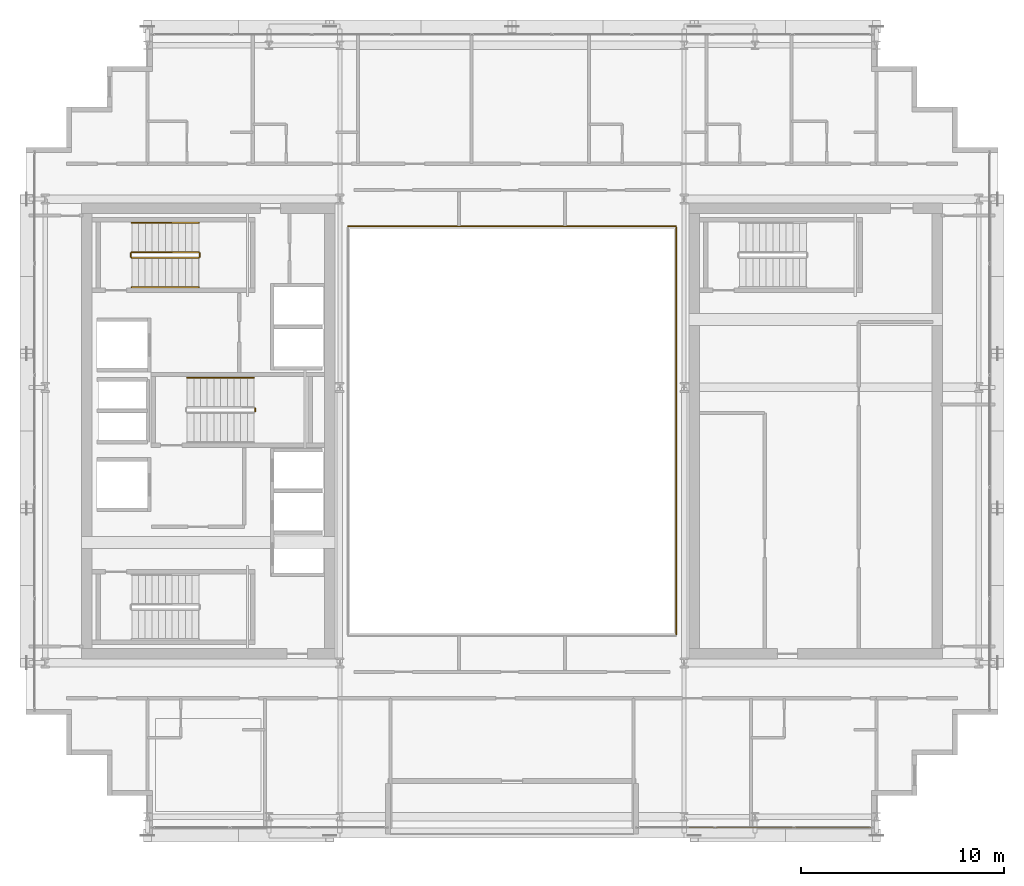
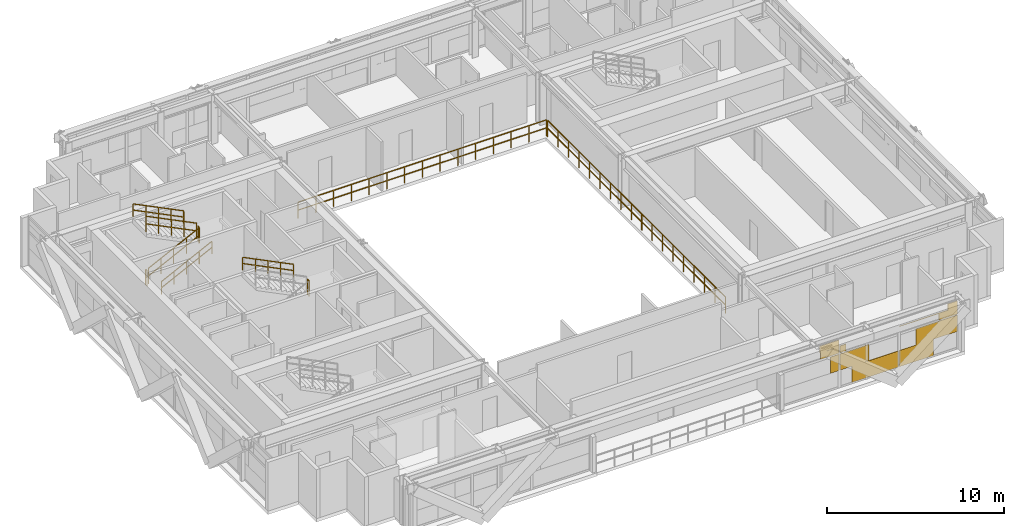
# One storey, part 30 of 32: 10 railings, 1 covering.
"""IFC4 building model written with IfcOpenShell, lengths in metres."""

from ifc_helpers import new_model, si_unit, direction, frame, origin, origin_2d, place, context, subcontext, project, spatial, rectangle, extrude, material, layer, layer_set, type_object, element, save


model = new_model("IFC4")

# Units and contexts
model_context = context("Model", 3, precision=1e-05, world=origin(), true_north=direction((0.0, 1.0)))
body_context = subcontext(model_context, "Body", "Model", "MODEL_VIEW")
ifc_project = project(units=[si_unit("LENGTHUNIT", "METRE"), si_unit("AREAUNIT", "SQUARE_METRE"), si_unit("VOLUMEUNIT", "CUBIC_METRE"), si_unit("PLANEANGLEUNIT", "RADIAN"), si_unit("MASSUNIT", "GRAM", prefix="KILO")], contexts=[model_context])

# Site, building, storey
site_placement = place(None, origin())
site = spatial("IfcSite", under=ifc_project, at=site_placement, CompositionType="ELEMENT")
building_placement = place(site_placement, origin())
building = spatial("IfcBuilding", under=site, at=building_placement, Name="Ocotamira Hotel", CompositionType="ELEMENT")
storey_placement = place(building_placement, frame((0.0, 0.0, 184.800048828125)))
storey = spatial("IfcBuildingStorey", under=building, at=storey_placement, Name="L46", CompositionType="ELEMENT", Elevation=184.800048828125)

# Covering
ifc_material_1 = material(Name="Insulated pale-metal aluminium spandrel panel", Category="aluminium")
ifc_layer = layer(ifc_material_1, 0.044921875)
ifc_layer_set = layer_set([ifc_layer], Name="Insulated pale-metal aluminium spandrel panel")
covering_type = type_object("IfcCoveringType", Name="COV-INFILL-45", PredefinedType="CLADDING", material=ifc_layer_set)
covering_placement = place(storey_placement, origin())
element("IfcCovering", 1, at=covering_placement, inside=storey, type_object=covering_type, Name="L46 Curtain Wall Infill CW-4 CW-L46-S2", PredefinedType="CLADDING", context=body_context, shape_type="SweptSolid", body=[
    extrude(rectangle(XDim=0.543212890625, YDim=0.044921875, at=origin_2d()), frame((41.72119140625, 6.419921875, 1.19384765625), z_axis=(0.0, 0.0, 1.0), x_axis=(1.0, 0.0, 0.0)), (0.0, 0.0, 1.0), 1.117919921875),
    extrude(rectangle(XDim=1.23046875, YDim=0.044921875, at=origin_2d()), frame((41.377685546875, 6.419921875, 2.83154296875), z_axis=(0.0, 0.0, 1.0), x_axis=(1.0, 0.0, 0.0)), (0.0, 0.0, 1.0), 0.462890625),
    extrude(rectangle(XDim=1.19140625, YDim=0.044921875, at=origin_2d()), frame((41.397216796875, 6.419921875, 2.3876953125), z_axis=(0.0, 0.0, 1.0), x_axis=(1.0, 0.0, 0.0)), (0.0, 0.0, 1.0), 0.442626953125),
    extrude(rectangle(XDim=1.893798828125, YDim=0.044921875, at=origin_2d()), frame((43.020751953125, 6.419921875, 1.19384765625), z_axis=(0.0, 0.0, 1.0), x_axis=(1.0, 0.0, 0.0)), (0.0, 0.0, 1.0), 1.117919921875),
    extrude(rectangle(XDim=3.028076171875, YDim=0.044921875, at=origin_2d()), frame((44.362060546875, 6.419921875, 0.0751953125), z_axis=(0.0, 0.0, 1.0), x_axis=(1.0, 0.0, 0.0)), (0.0, 0.0, 1.0), 1.117919921875),
    extrude(rectangle(XDim=0.401611328125, YDim=0.044921875, at=origin_2d()), frame((42.274658203125, 6.419921875, 2.3876953125), z_axis=(0.0, 0.0, 1.0), x_axis=(1.0, 0.0, 0.0)), (0.0, 0.0, 1.0), 0.473876953125),
    extrude(rectangle(XDim=2.19482421875, YDim=0.044921875, at=origin_2d()), frame((47.0546875, 6.419921875, 0.0751953125), z_axis=(0.0, 0.0, 1.0), x_axis=(1.0, 0.0, 0.0)), (0.0, 0.0, 1.0), 1.117919921875),
    extrude(rectangle(XDim=2.68701171875, YDim=0.044921875, at=origin_2d()), frame((48.3759765625, 6.419921875, 1.19384765625), z_axis=(0.0, 0.0, 1.0), x_axis=(1.0, 0.0, 0.0)), (0.0, 0.0, 1.0), 1.117919921875),
    extrude(rectangle(XDim=3.76220703125, YDim=0.044921875, at=origin_2d()), frame((47.83837890625, 6.419921875, 2.83154296875), z_axis=(0.0, 0.0, 1.0), x_axis=(1.0, 0.0, 0.0)), (0.0, 0.0, 1.0), 0.0302734375),
    extrude(rectangle(XDim=1.19482421875, YDim=0.044921875, at=origin_2d()), frame((49.1220703125, 6.419921875, 2.3876953125), z_axis=(0.0, 0.0, 1.0), x_axis=(1.0, 0.0, 0.0)), (0.0, 0.0, 1.0), 0.442626953125),
    extrude(rectangle(XDim=0.601318359375, YDim=0.044921875, at=origin_2d()), frame((49.418701171875, 6.419921875, 2.86279296875), z_axis=(0.0, 0.0, 1.0), x_axis=(1.0, 0.0, 0.0)), (0.0, 0.0, 1.0), 0.431640625),
])

# Railings
ifc_material_2 = material(Name="Painted steel stair guardrail", Category="steel")
railing_type_1 = type_object("IfcRailingType", Name="RL-EDGE-1150", PredefinedType="GUARDRAIL", material=ifc_material_2)
railing_1_placement = place(storey_placement, frame((40.1201171875, 15.9599609375, 0.0)))
element("IfcRailing", 2, at=railing_1_placement, inside=storey, type_object=railing_type_1, Name="L46 Central Atrium Edge Guardrail E", PredefinedType="GUARDRAIL", context=body_context, shape_type="SweptSolid", body=[
    extrude(rectangle(XDim=0.048095703125, YDim=0.048095703125, at=origin_2d()), frame((0.0, 0.0, 1.1259765625), z_axis=(0.0, 1.0, 0.0), x_axis=(-1.0, 0.0, 0.0)), (0.0, 0.0, 1.0), 20.080078125),
    extrude(rectangle(XDim=0.048095703125, YDim=0.048095703125, at=origin_2d()), frame((0.0, 0.0, 0.574951171875), z_axis=(0.0, 1.0, 0.0), x_axis=(-1.0, 0.0, 0.0)), (0.0, 0.0, 1.0), 20.080078125),
    extrude(rectangle(XDim=0.0419921875, YDim=0.0419921875, at=origin_2d()), origin(), (0.0, 0.0, 1.0), 1.101806640625),
    extrude(rectangle(XDim=0.0419921875, YDim=0.0419921875, at=origin_2d()), frame((0.0, 1.18115234375, 0.0)), (0.0, 0.0, 1.0), 1.101806640625),
    extrude(rectangle(XDim=0.0419921875, YDim=0.0419921875, at=origin_2d()), frame((0.0, 2.3623046875, 0.0)), (0.0, 0.0, 1.0), 1.101806640625),
    extrude(rectangle(XDim=0.0419921875, YDim=0.0419921875, at=origin_2d()), frame((0.0, 3.54345703125, 0.0)), (0.0, 0.0, 1.0), 1.101806640625),
    extrude(rectangle(XDim=0.0419921875, YDim=0.0419921875, at=origin_2d()), frame((0.0, 4.724609375, 0.0)), (0.0, 0.0, 1.0), 1.101806640625),
    extrude(rectangle(XDim=0.0419921875, YDim=0.0419921875, at=origin_2d()), frame((0.0, 5.906005859375, 0.0)), (0.0, 0.0, 1.0), 1.101806640625),
    extrude(rectangle(XDim=0.0419921875, YDim=0.0419921875, at=origin_2d()), frame((0.0, 7.087158203125, 0.0)), (0.0, 0.0, 1.0), 1.101806640625),
    extrude(rectangle(XDim=0.0419921875, YDim=0.0419921875, at=origin_2d()), frame((0.0, 8.268310546875, 0.0)), (0.0, 0.0, 1.0), 1.101806640625),
    extrude(rectangle(XDim=0.0419921875, YDim=0.0419921875, at=origin_2d()), frame((0.0, 9.449462890625, 0.0)), (0.0, 0.0, 1.0), 1.101806640625),
    extrude(rectangle(XDim=0.0419921875, YDim=0.0419921875, at=origin_2d()), frame((0.0, 10.630615234375, 0.0)), (0.0, 0.0, 1.0), 1.101806640625),
    extrude(rectangle(XDim=0.0419921875, YDim=0.0419921875, at=origin_2d()), frame((0.0, 11.811767578125, 0.0)), (0.0, 0.0, 1.0), 1.101806640625),
    extrude(rectangle(XDim=0.0419921875, YDim=0.0419921875, at=origin_2d()), frame((0.0, 12.992919921875, 0.0)), (0.0, 0.0, 1.0), 1.101806640625),
    extrude(rectangle(XDim=0.0419921875, YDim=0.0419921875, at=origin_2d()), frame((0.0, 14.174072265625, 0.0)), (0.0, 0.0, 1.0), 1.101806640625),
    extrude(rectangle(XDim=0.0419921875, YDim=0.0419921875, at=origin_2d()), frame((0.0, 15.35546875, 0.0)), (0.0, 0.0, 1.0), 1.101806640625),
    extrude(rectangle(XDim=0.0419921875, YDim=0.0419921875, at=origin_2d()), frame((0.0, 16.53662109375, 0.0)), (0.0, 0.0, 1.0), 1.101806640625),
    extrude(rectangle(XDim=0.0419921875, YDim=0.0419921875, at=origin_2d()), frame((0.0, 17.7177734375, 0.0)), (0.0, 0.0, 1.0), 1.101806640625),
    extrude(rectangle(XDim=0.0419921875, YDim=0.0419921875, at=origin_2d()), frame((0.0, 18.89892578125, 0.0)), (0.0, 0.0, 1.0), 1.101806640625),
    extrude(rectangle(XDim=0.0419921875, YDim=0.0419921875, at=origin_2d()), frame((0.0, 20.080078125, 0.0)), (0.0, 0.0, 1.0), 1.101806640625),
])
railing_2_placement = place(storey_placement, frame((40.10009765625, 36.1201171875, 0.0)))
element("IfcRailing", 3, at=railing_2_placement, inside=storey, type_object=railing_type_1, Name="L46 Central Atrium Edge Guardrail N", PredefinedType="GUARDRAIL", context=body_context, shape_type="SweptSolid", body=[
    extrude(rectangle(XDim=0.048095703125, YDim=0.048095703125, at=origin_2d()), frame((0.0, 0.0, 1.1259765625), z_axis=(-1.0, 0.0, 0.0), x_axis=(0.0, -1.0, 0.0)), (0.0, 0.0, 1.0), 16.2001953125),
    extrude(rectangle(XDim=0.048095703125, YDim=0.048095703125, at=origin_2d()), frame((0.0, 0.0, 0.574951171875), z_axis=(-1.0, 0.0, 0.0), x_axis=(0.0, -1.0, 0.0)), (0.0, 0.0, 1.0), 16.2001953125),
    extrude(rectangle(XDim=0.0419921875, YDim=0.0419921875, at=origin_2d()), origin(), (0.0, 0.0, 1.0), 1.101806640625),
    extrude(rectangle(XDim=0.0419921875, YDim=0.0419921875, at=origin_2d()), frame((-1.1572265625, 0.0, 0.0)), (0.0, 0.0, 1.0), 1.101806640625),
    extrude(rectangle(XDim=0.0419921875, YDim=0.0419921875, at=origin_2d()), frame((-2.314208984375, 0.0, 0.0)), (0.0, 0.0, 1.0), 1.101806640625),
    extrude(rectangle(XDim=0.0419921875, YDim=0.0419921875, at=origin_2d()), frame((-3.471435546875, 0.0, 0.0)), (0.0, 0.0, 1.0), 1.101806640625),
    extrude(rectangle(XDim=0.0419921875, YDim=0.0419921875, at=origin_2d()), frame((-4.628662109375, 0.0, 0.0)), (0.0, 0.0, 1.0), 1.101806640625),
    extrude(rectangle(XDim=0.0419921875, YDim=0.0419921875, at=origin_2d()), frame((-5.785888671875, 0.0, 0.0)), (0.0, 0.0, 1.0), 1.101806640625),
    extrude(rectangle(XDim=0.0419921875, YDim=0.0419921875, at=origin_2d()), frame((-6.94287109375, 0.0, 0.0)), (0.0, 0.0, 1.0), 1.101806640625),
    extrude(rectangle(XDim=0.0419921875, YDim=0.0419921875, at=origin_2d()), frame((-8.10009765625, 0.0, 0.0)), (0.0, 0.0, 1.0), 1.101806640625),
    extrude(rectangle(XDim=0.0419921875, YDim=0.0419921875, at=origin_2d()), frame((-9.25732421875, 0.0, 0.0)), (0.0, 0.0, 1.0), 1.101806640625),
    extrude(rectangle(XDim=0.0419921875, YDim=0.0419921875, at=origin_2d()), frame((-10.414306640625, 0.0, 0.0)), (0.0, 0.0, 1.0), 1.101806640625),
    extrude(rectangle(XDim=0.0419921875, YDim=0.0419921875, at=origin_2d()), frame((-11.571533203125, 0.0, 0.0)), (0.0, 0.0, 1.0), 1.101806640625),
    extrude(rectangle(XDim=0.0419921875, YDim=0.0419921875, at=origin_2d()), frame((-12.728759765625, 0.0, 0.0)), (0.0, 0.0, 1.0), 1.101806640625),
    extrude(rectangle(XDim=0.0419921875, YDim=0.0419921875, at=origin_2d()), frame((-13.885986328125, 0.0, 0.0)), (0.0, 0.0, 1.0), 1.101806640625),
    extrude(rectangle(XDim=0.0419921875, YDim=0.0419921875, at=origin_2d()), frame((-15.04296875, 0.0, 0.0)), (0.0, 0.0, 1.0), 1.101806640625),
    extrude(rectangle(XDim=0.0419921875, YDim=0.0419921875, at=origin_2d()), frame((-16.2001953125, 0.0, 0.0)), (0.0, 0.0, 1.0), 1.101806640625),
])
ifc_material_3 = material(Name="Brushed stainless steel handrail", Category="steel")
railing_type_2 = type_object("IfcRailingType", Name="RL-HAND-900", PredefinedType="HANDRAIL", material=ifc_material_3)
railing_3_placement = place(storey_placement, frame((13.22998046875, 33.10009765625, 0.3271484375)))
element("IfcRailing", 4, at=railing_3_placement, inside=storey, type_object=railing_type_2, Name="L46 ST-2 stair handrail 1", PredefinedType="HANDRAIL", context=body_context, shape_type="SweptSolid", body=[
    extrude(rectangle(XDim=0.048095703125, YDim=0.048095703125, at=origin_2d()), frame((0.0, 0.0, 0.8759765625), z_axis=(0.895893744519, 0.0, 0.4442683857), x_axis=(0.0, 1.0, 0.0)), (0.0, 0.0, 1.0), 3.68359375),
    extrude(rectangle(XDim=0.048095703125, YDim=0.048095703125, at=origin_2d()), frame((0.0, 0.0, 0.449951171875), z_axis=(0.895893744519, 0.0, 0.4442683857), x_axis=(0.0, 1.0, 0.0)), (0.0, 0.0, 1.0), 3.68359375),
    extrude(rectangle(XDim=0.0419921875, YDim=0.0419921875, at=origin_2d()), origin(), (0.0, 0.0, 1.0), 0.851806640625),
    extrude(rectangle(XDim=0.0419921875, YDim=0.0419921875, at=origin_2d()), frame((0.824951171875, 0.0, 0.4091796875)), (0.0, 0.0, 1.0), 0.851806640625),
    extrude(rectangle(XDim=0.0419921875, YDim=0.0419921875, at=origin_2d()), frame((1.64990234375, 0.0, 0.818359375)), (0.0, 0.0, 1.0), 0.851806640625),
    extrude(rectangle(XDim=0.0419921875, YDim=0.0419921875, at=origin_2d()), frame((2.47509765625, 0.0, 1.227294921875)), (0.0, 0.0, 1.0), 0.851806640625),
    extrude(rectangle(XDim=0.0419921875, YDim=0.0419921875, at=origin_2d()), frame((3.300048828125, 0.0, 1.636474609375)), (0.0, 0.0, 1.0), 0.851806640625),
])
for number, where, name in (
    (5, (16.530029296875, 36.280029296875, 2.127197265625), "L46 ST-2 stair handrail 2"),
    (6, (19.260009765625, 28.6298828125, 2.127197265625), "L46 ST-3 stair handrail 2"),
):
    element("IfcRailing", number, at=place(storey_placement, frame(where)), inside=storey, type_object=railing_type_2, Name=name, PredefinedType="HANDRAIL", context=body_context, shape_type="SweptSolid", body=[
        extrude(rectangle(XDim=0.048095703125, YDim=0.048095703125, at=origin_2d()), frame((0.0, 0.0, 0.8759765625), z_axis=(-0.895893744519, 0.0, 0.4442683857), x_axis=(0.0, -1.0, 0.0)), (0.0, 0.0, 1.0), 3.68359375),
        extrude(rectangle(XDim=0.048095703125, YDim=0.048095703125, at=origin_2d()), frame((0.0, 0.0, 0.449951171875), z_axis=(-0.895893744519, 0.0, 0.4442683857), x_axis=(0.0, -1.0, 0.0)), (0.0, 0.0, 1.0), 3.68359375),
        extrude(rectangle(XDim=0.0419921875, YDim=0.0419921875, at=origin_2d()), origin(), (0.0, 0.0, 1.0), 0.851806640625),
        extrude(rectangle(XDim=0.0419921875, YDim=0.0419921875, at=origin_2d()), frame((-0.824951171875, 0.0, 0.4091796875)), (0.0, 0.0, 1.0), 0.851806640625),
        extrude(rectangle(XDim=0.0419921875, YDim=0.0419921875, at=origin_2d()), frame((-1.64990234375, 0.0, 0.818359375)), (0.0, 0.0, 1.0), 0.851806640625),
        extrude(rectangle(XDim=0.0419921875, YDim=0.0419921875, at=origin_2d()), frame((-2.47509765625, 0.0, 1.227294921875)), (0.0, 0.0, 1.0), 0.851806640625),
        extrude(rectangle(XDim=0.0419921875, YDim=0.0419921875, at=origin_2d()), frame((-3.300048828125, 0.0, 1.636474609375)), (0.0, 0.0, 1.0), 0.851806640625),
    ])
railing_type_3 = type_object("IfcRailingType", Name="RL-STAIR-1100", PredefinedType="GUARDRAIL", material=ifc_material_2)
railing_4_placement = place(storey_placement, frame((13.22998046875, 34.56005859375, 0.16357421875)))
element("IfcRailing", 7, at=railing_4_placement, inside=storey, type_object=railing_type_3, Name="L46 ST-2 stair guard 1", PredefinedType="GUARDRAIL", context=body_context, shape_type="SweptSolid", body=[
    extrude(rectangle(XDim=0.048095703125, YDim=0.048095703125, at=origin_2d()), frame((0.0, 0.0, 1.076171875), z_axis=(0.895893744519, 0.0, 0.4442683857), x_axis=(0.0, 1.0, 0.0)), (0.0, 0.0, 1.0), 3.68359375),
    extrude(rectangle(XDim=0.048095703125, YDim=0.048095703125, at=origin_2d()), frame((0.0, 0.0, 0.550048828125), z_axis=(0.895893744519, 0.0, 0.4442683857), x_axis=(0.0, 1.0, 0.0)), (0.0, 0.0, 1.0), 3.68359375),
    extrude(rectangle(XDim=0.0419921875, YDim=0.0419921875, at=origin_2d()), origin(), (0.0, 0.0, 1.0), 1.052001953125),
    extrude(rectangle(XDim=0.0419921875, YDim=0.0419921875, at=origin_2d()), frame((0.824951171875, 0.0, 0.4091796875)), (0.0, 0.0, 1.0), 1.052001953125),
    extrude(rectangle(XDim=0.0419921875, YDim=0.0419921875, at=origin_2d()), frame((1.64990234375, 0.0, 0.818359375)), (0.0, 0.0, 1.0), 1.052001953125),
    extrude(rectangle(XDim=0.0419921875, YDim=0.0419921875, at=origin_2d()), frame((2.47509765625, 0.0, 1.227294921875)), (0.0, 0.0, 1.0), 1.052001953125),
    extrude(rectangle(XDim=0.0419921875, YDim=0.0419921875, at=origin_2d()), frame((3.300048828125, 0.0, 1.636474609375)), (0.0, 0.0, 1.0), 1.052001953125),
])
railing_5_placement = place(storey_placement, frame((16.580078125, 34.610107421875, 1.800048828125)))
element("IfcRailing", 8, at=railing_5_placement, inside=storey, type_object=railing_type_3, Name="L46 ST-2 stair guard 2", PredefinedType="GUARDRAIL", context=body_context, shape_type="SweptSolid", body=[
    extrude(rectangle(XDim=0.048095703125, YDim=0.048095703125, at=origin_2d()), frame((0.0, 0.0, 1.076171875), z_axis=(0.0, 1.0, 0.0), x_axis=(-1.0, 0.0, 0.0)), (0.0, 0.0, 1.0), 0.159912109375),
    extrude(rectangle(XDim=0.048095703125, YDim=0.048095703125, at=origin_2d()), frame((0.0, 0.0, 0.550048828125), z_axis=(0.0, 1.0, 0.0), x_axis=(-1.0, 0.0, 0.0)), (0.0, 0.0, 1.0), 0.159912109375),
    extrude(rectangle(XDim=0.0419921875, YDim=0.0419921875, at=origin_2d()), origin(), (0.0, 0.0, 1.0), 1.052001953125),
    extrude(rectangle(XDim=0.0419921875, YDim=0.0419921875, at=origin_2d()), frame((0.0, 0.159912109375, 0.0)), (0.0, 0.0, 1.0), 1.052001953125),
])
railing_6_placement = place(storey_placement, frame((16.530029296875, 34.820068359375, 1.963623046875)))
element("IfcRailing", 9, at=railing_6_placement, inside=storey, type_object=railing_type_3, Name="L46 ST-2 stair guard 3", PredefinedType="GUARDRAIL", context=body_context, shape_type="SweptSolid", body=[
    extrude(rectangle(XDim=0.048095703125, YDim=0.048095703125, at=origin_2d()), frame((0.0, 0.0, 1.076171875), z_axis=(-0.895920123917, 0.0, 0.444215186098), x_axis=(0.0, -1.0, 0.0)), (0.0, 0.0, 1.0), 3.683349609375),
    extrude(rectangle(XDim=0.048095703125, YDim=0.048095703125, at=origin_2d()), frame((0.0, 0.0, 0.550048828125), z_axis=(-0.895920123917, 0.0, 0.444215186098), x_axis=(0.0, -1.0, 0.0)), (0.0, 0.0, 1.0), 3.683349609375),
    extrude(rectangle(XDim=0.0419921875, YDim=0.0419921875, at=origin_2d()), origin(), (0.0, 0.0, 1.0), 1.052001953125),
    extrude(rectangle(XDim=0.0419921875, YDim=0.0419921875, at=origin_2d()), frame((-0.824951171875, 0.0, 0.4091796875)), (0.0, 0.0, 1.0), 1.052001953125),
    extrude(rectangle(XDim=0.0419921875, YDim=0.0419921875, at=origin_2d()), frame((-1.64990234375, 0.0, 0.818115234375)), (0.0, 0.0, 1.0), 1.052001953125),
    extrude(rectangle(XDim=0.0419921875, YDim=0.0419921875, at=origin_2d()), frame((-2.47509765625, 0.0, 1.22705078125)), (0.0, 0.0, 1.0), 1.052001953125),
    extrude(rectangle(XDim=0.0419921875, YDim=0.0419921875, at=origin_2d()), frame((-3.300048828125, 0.0, 1.63623046875)), (0.0, 0.0, 1.0), 1.052001953125),
])
railing_7_placement = place(storey_placement, frame((13.179931640625, 34.610107421875, 0.0)))
element("IfcRailing", 10, at=railing_7_placement, inside=storey, type_object=railing_type_3, Name="L46 ST-2 stair guard 4", PredefinedType="GUARDRAIL", context=body_context, shape_type="SweptSolid", body=[
    extrude(rectangle(XDim=0.048095703125, YDim=0.048095703125, at=origin_2d()), frame((0.0, 0.0, 1.076171875), z_axis=(0.0, 1.0, 0.0), x_axis=(-1.0, 0.0, 0.0)), (0.0, 0.0, 1.0), 0.159912109375),
    extrude(rectangle(XDim=0.048095703125, YDim=0.048095703125, at=origin_2d()), frame((0.0, 0.0, 0.550048828125), z_axis=(0.0, 1.0, 0.0), x_axis=(-1.0, 0.0, 0.0)), (0.0, 0.0, 1.0), 0.159912109375),
    extrude(rectangle(XDim=0.0419921875, YDim=0.0419921875, at=origin_2d()), origin(), (0.0, 0.0, 1.0), 1.052001953125),
    extrude(rectangle(XDim=0.0419921875, YDim=0.0419921875, at=origin_2d()), frame((0.0, 0.159912109375, 0.0)), (0.0, 0.0, 1.0), 1.052001953125),
])
railing_8_placement = place(storey_placement, frame((19.31005859375, 26.9599609375, 1.800048828125)))
element("IfcRailing", 11, at=railing_8_placement, inside=storey, type_object=railing_type_3, Name="L46 ST-3 stair guard 2", PredefinedType="GUARDRAIL", context=body_context, shape_type="SweptSolid", body=[
    extrude(rectangle(XDim=0.048095703125, YDim=0.048095703125, at=origin_2d()), frame((0.0, 0.0, 1.076171875), z_axis=(0.0, 1.0, 0.0), x_axis=(-1.0, 0.0, 0.0)), (0.0, 0.0, 1.0), 0.16015625),
    extrude(rectangle(XDim=0.048095703125, YDim=0.048095703125, at=origin_2d()), frame((0.0, 0.0, 0.550048828125), z_axis=(0.0, 1.0, 0.0), x_axis=(-1.0, 0.0, 0.0)), (0.0, 0.0, 1.0), 0.16015625),
    extrude(rectangle(XDim=0.0419921875, YDim=0.0419921875, at=origin_2d()), origin(), (0.0, 0.0, 1.0), 1.052001953125),
    extrude(rectangle(XDim=0.0419921875, YDim=0.0419921875, at=origin_2d()), frame((0.0, 0.16015625, 0.0)), (0.0, 0.0, 1.0), 1.052001953125),
])

save(model, "model.ifc")
